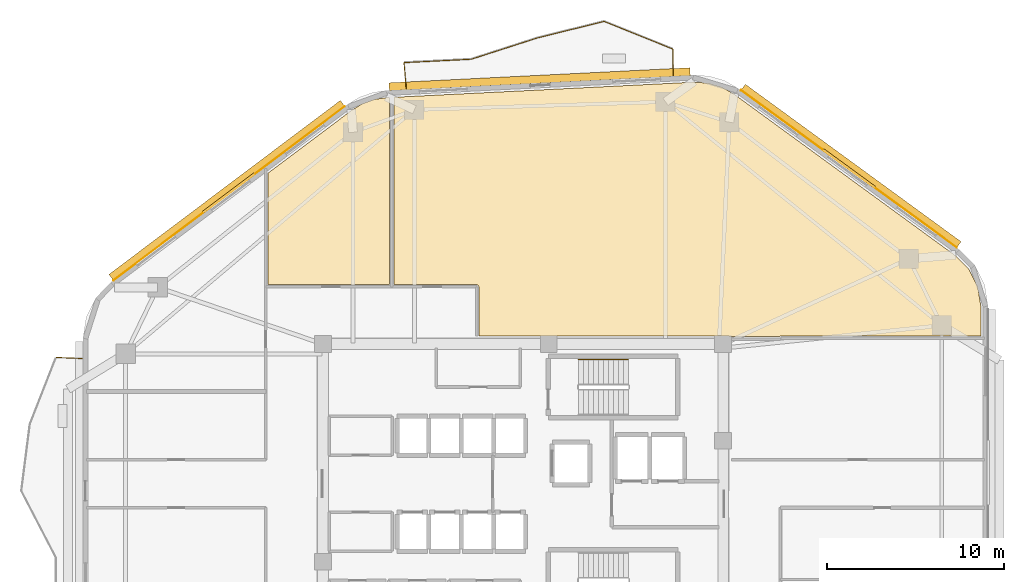
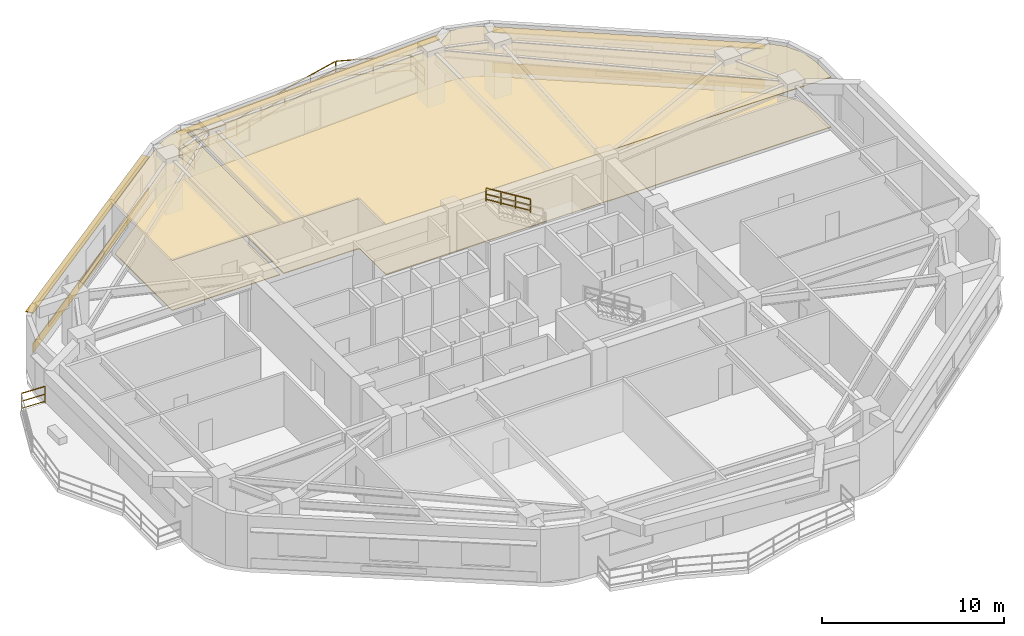
# One storey, part 9 of 9: 8 railings, 6 coverings, 5 shading devices.
"""IFC4 building model written with IfcOpenShell, lengths in metres."""

from ifc_helpers import new_model, si_unit, direction, frame, origin, origin_2d, place, context, subcontext, project, spatial, polyline, rectangle, outline, extrude, material, layer, layer_set, type_object, element, save


model = new_model("IFC4")

# Units and contexts
model_context = context("Model", 3, precision=1e-05, world=origin(), true_north=direction((0.0, 1.0)))
body_context = subcontext(model_context, "Body", "Model", "MODEL_VIEW")
ifc_project = project(units=[si_unit("LENGTHUNIT", "METRE"), si_unit("AREAUNIT", "SQUARE_METRE"), si_unit("VOLUMEUNIT", "CUBIC_METRE"), si_unit("PLANEANGLEUNIT", "RADIAN"), si_unit("MASSUNIT", "GRAM", prefix="KILO")], contexts=[model_context])

# Site, building, storey
site_placement = place(None, origin())
site = spatial("IfcSite", under=ifc_project, at=site_placement, CompositionType="ELEMENT")
building_placement = place(site_placement, origin())
building = spatial("IfcBuilding", under=site, at=building_placement, Name="Zulverin Broadcast Headquarters", CompositionType="ELEMENT")
storey_placement = place(building_placement, frame((0.0, 0.0, 144.0)))
storey = spatial("IfcBuildingStorey", under=building, at=storey_placement, Name="L36", CompositionType="ELEMENT", Elevation=144.0)

# Coverings
ifc_material_1 = material(Name="Perforated pale-metal acoustic baffle ceiling", Category="aluminium")
ifc_layer_1 = layer(ifc_material_1, 0.0400390625, Name="Perforated pale-metal acoustic baffle ceiling", Category="aluminium")
ifc_layer_set_1 = layer_set([ifc_layer_1], Name="Perforated pale-metal acoustic baffle ceiling")
covering_type_1 = type_object("IfcCoveringType", Name="COV-CEIL-ACOU", PredefinedType="CEILING", material=ifc_layer_set_1)
covering_1_placement = place(storey_placement, frame((0.0, 0.0, 3.360107421875)))
element("IfcCovering", 1, at=covering_1_placement, inside=storey, type_object=covering_type_1, Name="L36 Acoustic Baffle Ceiling 01", PredefinedType="CEILING", context=body_context, shape_type="SweptSolid", body=[
    extrude(outline(polyline([(29.47998046875, 36.419921875), (29.47998046875, 46.968017578125), (29.303955078125, 46.9599609375), (28.60009765625, 46.85595703125), (27.951904296875, 46.6201171875), (27.343994140625, 46.248046875), (22.6201171875, 42.699951171875), (22.6201171875, 36.419921875), (29.47998046875, 36.419921875)])), origin(), (0.0, 0.0, 1.0), 0.039794921875),
])
covering_2_placement = place(storey_placement, frame((0.0, 0.0, 3.360107421875)))
element("IfcCovering", 2, at=covering_2_placement, inside=storey, type_object=covering_type_1, Name="L36 Acoustic Baffle Ceiling 02", PredefinedType="CEILING", context=body_context, shape_type="SweptSolid", body=[
    extrude(outline(polyline([(47.43994140625, 47.77587890625), (46.6240234375, 47.83203125), (41.10791015625, 47.552001953125), (29.719970703125, 46.97998046875), (29.719970703125, 36.419921875), (34.367919921875, 36.419921875), (34.3798828125, 36.419921875), (34.39208984375, 36.416015625), (34.39990234375, 36.416015625), (34.412109375, 36.412109375), (34.419921875, 36.407958984375), (34.427978515625, 36.404052734375), (34.43603515625, 36.39990234375), (34.447998046875, 36.39208984375), (34.4599609375, 36.384033203125), (34.468017578125, 36.3759765625), (34.47607421875, 36.367919921875), (34.48388671875, 36.360107421875), (34.491943359375, 36.347900390625), (34.5, 36.3359375), (34.50390625, 36.327880859375), (34.508056640625, 36.320068359375), (34.511962890625, 36.31201171875), (34.51611328125, 36.300048828125), (34.51611328125, 36.2919921875), (34.52001953125, 36.280029296875), (34.52001953125, 36.26806640625), (34.52001953125, 33.52001953125), (48.568115234375, 33.52001953125), (48.580078125, 33.52001953125), (48.592041015625, 33.51611328125), (48.60009765625, 33.51611328125), (48.612060546875, 33.511962890625), (48.6201171875, 33.508056640625), (48.635986328125, 33.5), (51.464111328125, 33.5), (51.471923828125, 33.50390625), (51.47998046875, 33.508056640625), (51.488037109375, 33.511962890625), (51.5, 33.51611328125), (51.508056640625, 33.51611328125), (51.52001953125, 33.52001953125), (51.531982421875, 33.52001953125), (62.800048828125, 33.52001953125), (62.800048828125, 35.199951171875), (62.6240234375, 36.30810546875), (62.1279296875, 37.280029296875), (61.3359375, 38.075927734375), (48.931884765625, 47.1279296875), (48.907958984375, 47.14404296875), (48.196044921875, 47.552001953125), (47.43994140625, 47.77587890625)])), origin(), (0.0, 0.0, 1.0), 0.039794921875),
])
ifc_material_2 = material(Name="Brushed pale-aluminium rainscreen cladding", Category="aluminium")
ifc_layer_2 = layer(ifc_material_2, 0.0400390625, Name="Brushed pale-aluminium rainscreen cladding", Category="aluminium")
ifc_layer_set_2 = layer_set([ifc_layer_2], Name="Brushed pale-aluminium rainscreen cladding")
covering_type_2 = type_object("IfcCoveringType", Name="COV-CLAD-PALE", PredefinedType="CLADDING", material=ifc_layer_set_2)
covering_3_placement = place(storey_placement, frame((55.364990234375, 42.94140625, 0.054931640625), z_axis=(0.0, 0.0, 1.0), x_axis=(-0.807814001495, 0.589437476742, 0.0)))
element("IfcCovering", 3, at=covering_3_placement, inside=storey, type_object=covering_type_2, Name="L36 Brushed Pale-Aluminium Spandrel Cladding 4", PredefinedType="CLADDING", context=body_context, shape_type="SweptSolid", body=[
    extrude(rectangle(XDim=15.048583984375, YDim=0.0400390625, at=origin_2d()), origin(), (0.0, 0.0, 1.0), 0.64990234375),
])
covering_4_placement = place(storey_placement, frame((20.4306640625, 41.56689453125, 0.054931640625), z_axis=(0.0, 0.0, 1.0), x_axis=(-0.799275780179, -0.60096441427, 0.0)))
element("IfcCovering", 4, at=covering_4_placement, inside=storey, type_object=covering_type_2, Name="L36 Brushed Pale-Aluminium Spandrel Cladding 6", PredefinedType="CLADDING", context=body_context, shape_type="SweptSolid", body=[
    extrude(rectangle(XDim=16.316162109375, YDim=0.0400390625, at=origin_2d()), origin(), (0.0, 0.0, 1.0), 0.64990234375),
])
ifc_material_3 = material(Name="Anti-static broadcast raised access flooring", Category="stone")
ifc_layer_3 = layer(ifc_material_3, 0.050048828125, Name="Anti-static broadcast raised access flooring", Category="stone")
ifc_layer_set_3 = layer_set([ifc_layer_3], Name="Anti-static broadcast raised access flooring")
covering_type_3 = type_object("IfcCoveringType", Name="COV-FLR-RAISED", PredefinedType="FLOORING", material=ifc_layer_set_3)
covering_5_placement = place(storey_placement, origin())
element("IfcCovering", 5, at=covering_5_placement, inside=storey, type_object=covering_type_3, Name="L36 Broadcast Raised Access Flooring 01", PredefinedType="FLOORING", context=body_context, shape_type="SweptSolid", body=[
    extrude(outline(polyline([(29.47998046875, 36.419921875), (29.47998046875, 46.968017578125), (29.303955078125, 46.9599609375), (28.60009765625, 46.85595703125), (27.951904296875, 46.6201171875), (27.343994140625, 46.248046875), (22.6201171875, 42.699951171875), (22.6201171875, 36.419921875), (29.47998046875, 36.419921875)])), origin(), (0.0, 0.0, 1.0), 0.050048828125),
])
covering_6_placement = place(storey_placement, origin())
element("IfcCovering", 6, at=covering_6_placement, inside=storey, type_object=covering_type_3, Name="L36 Broadcast Raised Access Flooring 02", PredefinedType="FLOORING", context=body_context, shape_type="SweptSolid", body=[
    extrude(outline(polyline([(47.43994140625, 47.77587890625), (46.6240234375, 47.83203125), (41.10791015625, 47.552001953125), (29.719970703125, 46.97998046875), (29.719970703125, 36.419921875), (34.367919921875, 36.419921875), (34.3798828125, 36.419921875), (34.39208984375, 36.416015625), (34.39990234375, 36.416015625), (34.412109375, 36.412109375), (34.419921875, 36.407958984375), (34.427978515625, 36.404052734375), (34.43603515625, 36.39990234375), (34.447998046875, 36.39208984375), (34.4599609375, 36.384033203125), (34.468017578125, 36.3759765625), (34.47607421875, 36.367919921875), (34.48388671875, 36.360107421875), (34.491943359375, 36.347900390625), (34.5, 36.3359375), (34.50390625, 36.327880859375), (34.508056640625, 36.320068359375), (34.511962890625, 36.31201171875), (34.51611328125, 36.300048828125), (34.51611328125, 36.2919921875), (34.52001953125, 36.280029296875), (34.52001953125, 36.26806640625), (34.52001953125, 33.52001953125), (48.568115234375, 33.52001953125), (48.580078125, 33.52001953125), (48.592041015625, 33.51611328125), (48.60009765625, 33.51611328125), (48.612060546875, 33.511962890625), (48.6201171875, 33.508056640625), (48.635986328125, 33.5), (51.464111328125, 33.5), (51.471923828125, 33.50390625), (51.47998046875, 33.508056640625), (51.488037109375, 33.511962890625), (51.5, 33.51611328125), (51.508056640625, 33.51611328125), (51.52001953125, 33.52001953125), (51.531982421875, 33.52001953125), (62.800048828125, 33.52001953125), (62.800048828125, 35.199951171875), (62.6240234375, 36.30810546875), (62.1279296875, 37.280029296875), (61.3359375, 38.075927734375), (48.931884765625, 47.1279296875), (48.907958984375, 47.14404296875), (48.196044921875, 47.552001953125), (47.43994140625, 47.77587890625)])), origin(), (0.0, 0.0, 1.0), 0.050048828125),
])

# Railings
ifc_material_4 = material(Name="Brushed stainless steel & laminated glass balustrade", Category="steel")
railing_type_1 = type_object("IfcRailingType", Name="RL-GUARD-1150", PredefinedType="GUARDRAIL", material=ifc_material_4)
railing_1_placement = place(storey_placement, frame((45.464599609375, 48.212646484375, 0.0)))
element("IfcRailing", 7, at=railing_1_placement, inside=storey, type_object=railing_type_1, Name="L36 Vertical-Forest Balcony Guardrail BAL_N Segment 01", PredefinedType="GUARDRAIL", context=body_context, shape_type="SweptSolid", body=[
    extrude(rectangle(XDim=0.048095703125, YDim=0.048095703125, at=origin_2d()), frame((0.0, 0.0, 1.1259765625), z_axis=(-0.009658167329, 0.999953358814, 0.0), x_axis=(-0.999953358814, -0.009658167329, 0.0)), (0.0, 0.0, 1.0), 1.466064453125),
    extrude(rectangle(XDim=0.0419921875, YDim=0.0419921875, at=origin_2d()), frame((0.0, 0.0, 0.597900390625), z_axis=(-0.009658167329, 0.999953358814, 0.0), x_axis=(-0.999953358814, -0.009658167329, 0.0)), (0.0, 0.0, 1.0), 1.466064453125),
    extrude(rectangle(XDim=0.0419921875, YDim=0.0419921875, at=origin_2d()), frame((0.0, 0.0, 0.1201171875), z_axis=(-0.009658167329, 0.999953358814, 0.0), x_axis=(-0.999953358814, -0.009658167329, 0.0)), (0.0, 0.0, 1.0), 1.466064453125),
    extrude(rectangle(XDim=0.0419921875, YDim=0.0419921875, at=origin_2d()), origin(), (0.0, 0.0, 1.0), 1.101806640625),
    extrude(rectangle(XDim=0.0419921875, YDim=0.0419921875, at=origin_2d()), frame((-0.01416015625, 1.466064453125, 0.0)), (0.0, 0.0, 1.0), 1.101806640625),
])
railing_2_placement = place(storey_placement, frame((45.436279296875, 49.699462890625, 0.0)))
element("IfcRailing", 8, at=railing_2_placement, inside=storey, type_object=railing_type_1, Name="L36 Vertical-Forest Balcony Guardrail BAL_N Segment 02", PredefinedType="GUARDRAIL", context=body_context, shape_type="SweptSolid", body=[
    extrude(rectangle(XDim=0.048095703125, YDim=0.048095703125, at=origin_2d()), frame((0.0, 0.0, 1.1259765625), z_axis=(-0.927638754571, 0.373478702227, 0.0), x_axis=(-0.373478702227, -0.927638754571, 0.0)), (0.0, 0.0, 1.0), 4.15087890625),
    extrude(rectangle(XDim=0.0419921875, YDim=0.0419921875, at=origin_2d()), frame((0.0, 0.0, 0.597900390625), z_axis=(-0.927638754571, 0.373478702227, 0.0), x_axis=(-0.373478702227, -0.927638754571, 0.0)), (0.0, 0.0, 1.0), 4.15087890625),
    extrude(rectangle(XDim=0.0419921875, YDim=0.0419921875, at=origin_2d()), frame((0.0, 0.0, 0.1201171875), z_axis=(-0.927638754571, 0.373478702227, 0.0), x_axis=(-0.373478702227, -0.927638754571, 0.0)), (0.0, 0.0, 1.0), 4.15087890625),
    extrude(rectangle(XDim=0.0419921875, YDim=0.0419921875, at=origin_2d()), origin(), (0.0, 0.0, 1.0), 1.101806640625),
    extrude(rectangle(XDim=0.0419921875, YDim=0.0419921875, at=origin_2d()), frame((-1.92529296875, 0.775146484375, 0.0)), (0.0, 0.0, 1.0), 1.101806640625),
    extrude(rectangle(XDim=0.0419921875, YDim=0.0419921875, at=origin_2d()), frame((-3.8505859375, 1.55029296875, 0.0)), (0.0, 0.0, 1.0), 1.101806640625),
])
railing_3_placement = place(storey_placement, frame((41.55712890625, 51.251708984375, 0.0)))
element("IfcRailing", 9, at=railing_3_placement, inside=storey, type_object=railing_type_1, Name="L36 Vertical-Forest Balcony Guardrail BAL_N Segment 03", PredefinedType="GUARDRAIL", context=body_context, shape_type="SweptSolid", body=[
    extrude(rectangle(XDim=0.048095703125, YDim=0.048095703125, at=origin_2d()), frame((0.0, 0.0, 1.1259765625), z_axis=(-0.970764405972, -0.240034306085, 0.0), x_axis=(0.240034306085, -0.970764405972, 0.0)), (0.0, 0.0, 1.0), 3.83642578125),
    extrude(rectangle(XDim=0.0419921875, YDim=0.0419921875, at=origin_2d()), frame((0.0, 0.0, 0.597900390625), z_axis=(-0.970764405972, -0.240034306085, 0.0), x_axis=(0.240034306085, -0.970764405972, 0.0)), (0.0, 0.0, 1.0), 3.83642578125),
    extrude(rectangle(XDim=0.0419921875, YDim=0.0419921875, at=origin_2d()), frame((0.0, 0.0, 0.1201171875), z_axis=(-0.970764405972, -0.240034306085, 0.0), x_axis=(0.240034306085, -0.970764405972, 0.0)), (0.0, 0.0, 1.0), 3.83642578125),
    extrude(rectangle(XDim=0.0419921875, YDim=0.0419921875, at=origin_2d()), origin(), (0.0, 0.0, 1.0), 1.101806640625),
    extrude(rectangle(XDim=0.0419921875, YDim=0.0419921875, at=origin_2d()), frame((-1.8623046875, -0.46044921875, 0.0)), (0.0, 0.0, 1.0), 1.101806640625),
    extrude(rectangle(XDim=0.0419921875, YDim=0.0419921875, at=origin_2d()), frame((-3.724365234375, -0.9208984375, 0.0)), (0.0, 0.0, 1.0), 1.101806640625),
])
railing_4_placement = place(storey_placement, frame((37.803955078125, 50.32275390625, 0.0)))
element("IfcRailing", 10, at=railing_4_placement, inside=storey, type_object=railing_type_1, Name="L36 Vertical-Forest Balcony Guardrail BAL_N Segment 04", PredefinedType="GUARDRAIL", context=body_context, shape_type="SweptSolid", body=[
    extrude(rectangle(XDim=0.048095703125, YDim=0.048095703125, at=origin_2d()), frame((0.0, 0.0, 1.1259765625), z_axis=(-0.951883161625, -0.306461166568, 0.0), x_axis=(0.306461166568, -0.951883161625, 0.0)), (0.0, 0.0, 1.0), 3.898681640625),
    extrude(rectangle(XDim=0.0419921875, YDim=0.0419921875, at=origin_2d()), frame((0.0, 0.0, 0.597900390625), z_axis=(-0.951883161625, -0.306461166568, 0.0), x_axis=(0.306461166568, -0.951883161625, 0.0)), (0.0, 0.0, 1.0), 3.898681640625),
    extrude(rectangle(XDim=0.0419921875, YDim=0.0419921875, at=origin_2d()), frame((0.0, 0.0, 0.1201171875), z_axis=(-0.951883161625, -0.306461166568, 0.0), x_axis=(0.306461166568, -0.951883161625, 0.0)), (0.0, 0.0, 1.0), 3.898681640625),
    extrude(rectangle(XDim=0.0419921875, YDim=0.0419921875, at=origin_2d()), origin(), (0.0, 0.0, 1.0), 1.101806640625),
    extrude(rectangle(XDim=0.0419921875, YDim=0.0419921875, at=origin_2d()), frame((-1.85546875, -0.597412109375, 0.0)), (0.0, 0.0, 1.0), 1.101806640625),
    extrude(rectangle(XDim=0.0419921875, YDim=0.0419921875, at=origin_2d()), frame((-3.711181640625, -1.19482421875, 0.0)), (0.0, 0.0, 1.0), 1.101806640625),
])
railing_5_placement = place(storey_placement, frame((34.0634765625, 49.12255859375, 0.0)))
element("IfcRailing", 11, at=railing_5_placement, inside=storey, type_object=railing_type_1, Name="L36 Vertical-Forest Balcony Guardrail BAL_N Segment 05", PredefinedType="GUARDRAIL", context=body_context, shape_type="SweptSolid", body=[
    extrude(rectangle(XDim=0.048095703125, YDim=0.048095703125, at=origin_2d()), frame((0.0, 0.0, 1.1259765625), z_axis=(-0.99874326797, -0.05011870593, 0.0), x_axis=(0.05011870593, -0.99874326797, 0.0)), (0.0, 0.0, 1.0), 3.765380859375),
    extrude(rectangle(XDim=0.0419921875, YDim=0.0419921875, at=origin_2d()), frame((0.0, 0.0, 0.597900390625), z_axis=(-0.99874326797, -0.05011870593, 0.0), x_axis=(0.05011870593, -0.99874326797, 0.0)), (0.0, 0.0, 1.0), 3.765380859375),
    extrude(rectangle(XDim=0.0419921875, YDim=0.0419921875, at=origin_2d()), frame((0.0, 0.0, 0.1201171875), z_axis=(-0.99874326797, -0.05011870593, 0.0), x_axis=(0.05011870593, -0.99874326797, 0.0)), (0.0, 0.0, 1.0), 3.765380859375),
    extrude(rectangle(XDim=0.0419921875, YDim=0.0419921875, at=origin_2d()), origin(), (0.0, 0.0, 1.0), 1.101806640625),
    extrude(rectangle(XDim=0.0419921875, YDim=0.0419921875, at=origin_2d()), frame((-1.88037109375, -0.09423828125, 0.0)), (0.0, 0.0, 1.0), 1.101806640625),
    extrude(rectangle(XDim=0.0419921875, YDim=0.0419921875, at=origin_2d()), frame((-3.7607421875, -0.188720703125, 0.0)), (0.0, 0.0, 1.0), 1.101806640625),
])
railing_6_placement = place(storey_placement, frame((30.289306640625, 48.918212890625, 0.0)))
element("IfcRailing", 12, at=railing_6_placement, inside=storey, type_object=railing_type_1, Name="L36 Vertical-Forest Balcony Guardrail BAL_N Segment 06", PredefinedType="GUARDRAIL", context=body_context, shape_type="SweptSolid", body=[
    extrude(rectangle(XDim=0.048095703125, YDim=0.048095703125, at=origin_2d()), frame((0.0, 0.0, 1.1259765625), z_axis=(0.090415638869, -0.995904117999, 0.0), x_axis=(0.995904117999, 0.090415638869, 0.0)), (0.0, 0.0, 1.0), 1.46630859375),
    extrude(rectangle(XDim=0.0419921875, YDim=0.0419921875, at=origin_2d()), frame((0.0, 0.0, 0.597900390625), z_axis=(0.090415638869, -0.995904117999, 0.0), x_axis=(0.995904117999, 0.090415638869, 0.0)), (0.0, 0.0, 1.0), 1.46630859375),
    extrude(rectangle(XDim=0.0419921875, YDim=0.0419921875, at=origin_2d()), frame((0.0, 0.0, 0.1201171875), z_axis=(0.090415638869, -0.995904117999, 0.0), x_axis=(0.995904117999, 0.090415638869, 0.0)), (0.0, 0.0, 1.0), 1.46630859375),
    extrude(rectangle(XDim=0.0419921875, YDim=0.0419921875, at=origin_2d()), origin(), (0.0, 0.0, 1.0), 1.101806640625),
    extrude(rectangle(XDim=0.0419921875, YDim=0.0419921875, at=origin_2d()), frame((0.132568359375, -1.460205078125, 0.0)), (0.0, 0.0, 1.0), 1.101806640625),
])
railing_7_placement = place(storey_placement, frame((12.159912109375, 32.2587890625, 0.0)))
element("IfcRailing", 13, at=railing_7_placement, inside=storey, type_object=railing_type_1, Name="L36 Vertical-Forest Balcony Guardrail BAL_W Segment 01", PredefinedType="GUARDRAIL", context=body_context, shape_type="SweptSolid", body=[
    extrude(rectangle(XDim=0.048095703125, YDim=0.048095703125, at=origin_2d()), frame((0.0, 0.0, 1.1259765625), z_axis=(-0.999174135318, 0.040633081503, 0.0), x_axis=(-0.040633081503, -0.999174135318, 0.0)), (0.0, 0.0, 1.0), 1.466064453125),
    extrude(rectangle(XDim=0.0419921875, YDim=0.0419921875, at=origin_2d()), frame((0.0, 0.0, 0.597900390625), z_axis=(-0.999174135318, 0.040633081503, 0.0), x_axis=(-0.040633081503, -0.999174135318, 0.0)), (0.0, 0.0, 1.0), 1.466064453125),
    extrude(rectangle(XDim=0.0419921875, YDim=0.0419921875, at=origin_2d()), frame((0.0, 0.0, 0.1201171875), z_axis=(-0.999174135318, 0.040633081503, 0.0), x_axis=(-0.040633081503, -0.999174135318, 0.0)), (0.0, 0.0, 1.0), 1.466064453125),
    extrude(rectangle(XDim=0.0419921875, YDim=0.0419921875, at=origin_2d()), origin(), (0.0, 0.0, 1.0), 1.101806640625),
    extrude(rectangle(XDim=0.0419921875, YDim=0.0419921875, at=origin_2d()), frame((-1.46484375, 0.0595703125, 0.0)), (0.0, 0.0, 1.0), 1.101806640625),
])
ifc_material_5 = material(Name="Brushed stainless steel 48 mm handrail", Category="steel")
railing_type_2 = type_object("IfcRailingType", Name="RL-ST-HAND", PredefinedType="HANDRAIL", material=ifc_material_5)
railing_8_placement = place(storey_placement, frame((42.929931640625, 32.199951171875, 2.07275390625)))
element("IfcRailing", 14, at=railing_8_placement, inside=storey, type_object=railing_type_2, Name="L36 ST-1 stair handrail 2", PredefinedType="HANDRAIL", context=body_context, shape_type="SweptSolid", body=[
    extrude(rectangle(XDim=0.048095703125, YDim=0.048095703125, at=origin_2d()), frame((0.0, 0.0, 0.8759765625), z_axis=(-0.851089632645, 0.0, 0.525020415988), x_axis=(0.0, -1.0, 0.0)), (0.0, 0.0, 1.0), 3.2900390625),
    extrude(rectangle(XDim=0.0419921875, YDim=0.0419921875, at=origin_2d()), frame((0.0, 0.0, 0.468017578125), z_axis=(-0.851089632645, 0.0, 0.525020415988), x_axis=(0.0, -1.0, 0.0)), (0.0, 0.0, 1.0), 3.2900390625),
    extrude(rectangle(XDim=0.0419921875, YDim=0.0419921875, at=origin_2d()), frame((0.0, 0.0, 0.1201171875), z_axis=(-0.851089632645, 0.0, 0.525020415988), x_axis=(0.0, -1.0, 0.0)), (0.0, 0.0, 1.0), 3.2900390625),
    extrude(rectangle(XDim=0.0419921875, YDim=0.0419921875, at=origin_2d()), origin(), (0.0, 0.0, 1.0), 0.851806640625),
    extrude(rectangle(XDim=0.0419921875, YDim=0.0419921875, at=origin_2d()), frame((-0.933349609375, 0.0, 0.57568359375)), (0.0, 0.0, 1.0), 0.851806640625),
    extrude(rectangle(XDim=0.0419921875, YDim=0.0419921875, at=origin_2d()), frame((-1.86669921875, 0.0, 1.151611328125)), (0.0, 0.0, 1.0), 0.851806640625),
    extrude(rectangle(XDim=0.0419921875, YDim=0.0419921875, at=origin_2d()), frame((-2.800048828125, 0.0, 1.727294921875)), (0.0, 0.0, 1.0), 0.851806640625),
])

# Shading devices
ifc_material_6 = material(Name="Anodized pale-metal aluminium acoustic louvre", Category="aluminium")
shading_device_type_1 = type_object("IfcShadingDeviceType", Name="SHD-LOUVRE-350", PredefinedType="USERDEFINED", material=ifc_material_6)
for number, where, z_axis, x_axis, name in (
    (15, (55.382568359375, 42.965576171875, 0.244873046875), (0.0, 0.0, 1.0), (-0.807814001495, 0.589437476742, 0.0), "L36 Spandrel Intake Louvre 4"),
    (16, (20.41259765625, 41.591064453125, 0.244873046875), (0.0, 0.0, 1.0), (-0.799275780179, -0.60096441427, 0.0), "L36 Spandrel Intake Louvre 6"),
):
    element("IfcShadingDevice", number, at=place(storey_placement, frame(where, z_axis=z_axis, x_axis=x_axis)), inside=storey, type_object=shading_device_type_1, Name=name, ObjectType="LOUVRE", PredefinedType="USERDEFINED", context=body_context, shape_type="SweptSolid", body=[
        extrude(rectangle(XDim=3.60009765625, YDim=0.1201171875, at=origin_2d()), origin(), (0.0, 0.0, 1.0), 0.35009765625),
    ])
ifc_material_7 = material(Name="Anodized pale-metal aluminium sunshade", Category="aluminium")
ifc_layer_4 = layer(ifc_material_7, 0.06005859375, Name="Anodized pale-metal aluminium sunshade", Category="aluminium")
ifc_layer_set_4 = layer_set([ifc_layer_4], Name="Anodized pale-metal aluminium sunshade")
shading_device_type_2 = type_object("IfcShadingDeviceType", Name="SS-01_PALE_METAL_ALUMINIUM_SUNSHADE", PredefinedType="USERDEFINED", material=ifc_layer_set_4)
shading_device_1_placement = place(storey_placement, frame((55.476806640625, 43.0947265625, 2.7099609375), z_axis=(0.0, 0.0, 1.0), x_axis=(-0.807814001495, 0.589437476742, 0.0)))
element("IfcShadingDevice", 17, at=shading_device_1_placement, inside=storey, type_object=shading_device_type_2, Name="L36 Horizontal Pale-Metal Sunshade Band 4", ObjectType="SUNSHADE", PredefinedType="USERDEFINED", context=body_context, shape_type="SweptSolid", body=[
    extrude(rectangle(XDim=15.048583984375, YDim=0.449951171875, at=origin_2d()), origin(), (0.0, 0.0, 1.0), 0.06005859375),
])
shading_device_2_placement = place(storey_placement, frame((37.935302734375, 47.9951171875, 2.7099609375), z_axis=(0.0, 0.0, 1.0), x_axis=(-0.998743962301, -0.050104867704, 0.0)))
element("IfcShadingDevice", 18, at=shading_device_2_placement, inside=storey, type_object=shading_device_type_2, Name="L36 Horizontal Pale-Metal Sunshade Band 5", ObjectType="SUNSHADE", PredefinedType="USERDEFINED", context=body_context, shape_type="SweptSolid", body=[
    extrude(rectangle(XDim=16.981689453125, YDim=0.449951171875, at=origin_2d()), origin(), (0.0, 0.0, 1.0), 0.06005859375),
])
shading_device_3_placement = place(storey_placement, frame((20.31640625, 41.718994140625, 2.7099609375), z_axis=(0.0, 0.0, 1.0), x_axis=(-0.799275780179, -0.60096441427, 0.0)))
element("IfcShadingDevice", 19, at=shading_device_3_placement, inside=storey, type_object=shading_device_type_2, Name="L36 Horizontal Pale-Metal Sunshade Band 6", ObjectType="SUNSHADE", PredefinedType="USERDEFINED", context=body_context, shape_type="SweptSolid", body=[
    extrude(rectangle(XDim=16.316162109375, YDim=0.449951171875, at=origin_2d()), origin(), (0.0, 0.0, 1.0), 0.06005859375),
])

save(model, "model.ifc")
